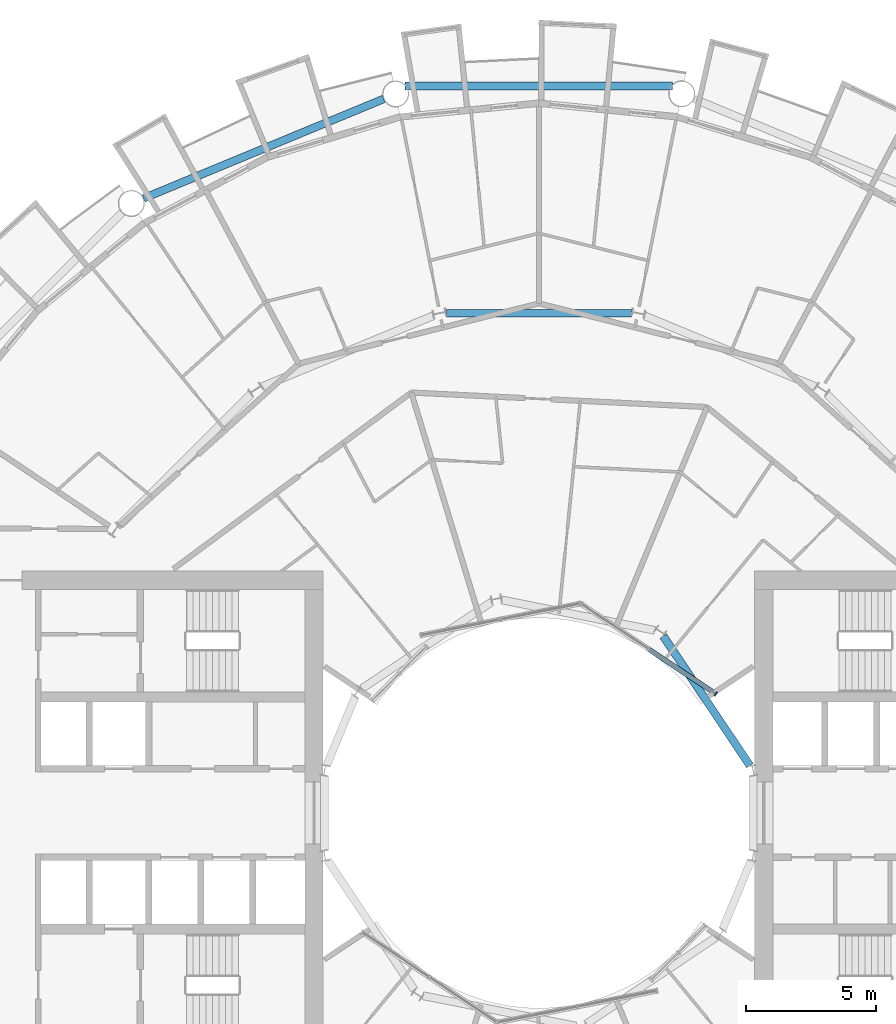
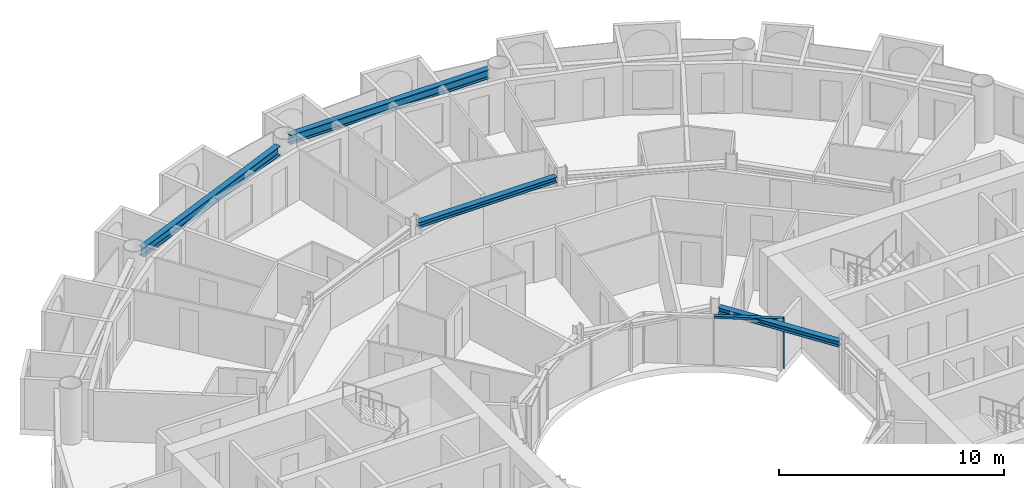
# One storey, part 8 of 26: 4 beams, 2 members, 1 element without a shape of its own.
"""IFC4 building model written with IfcOpenShell, lengths in metres."""

from ifc_helpers import new_model, si_unit, direction, frame, origin, origin_2d, place, context, subcontext, project, spatial, rectangle, i_section, extrude, material, layer, layer_set, material_profile, profile_set, type_object, element, aggregate, save


model = new_model("IFC4")

# Units and contexts
model_context = context("Model", 3, precision=1e-05, world=origin(), true_north=direction((0.0, 1.0)))
body_context = subcontext(model_context, "Body", "Model", "MODEL_VIEW")
ifc_project = project(units=[si_unit("LENGTHUNIT", "METRE"), si_unit("AREAUNIT", "SQUARE_METRE"), si_unit("VOLUMEUNIT", "CUBIC_METRE"), si_unit("PLANEANGLEUNIT", "RADIAN"), si_unit("MASSUNIT", "GRAM", prefix="KILO")], contexts=[model_context])

# Site, building, storey
site_placement = place(None, origin())
site = spatial("IfcSite", under=ifc_project, at=site_placement, CompositionType="ELEMENT")
building_placement = place(site_placement, origin())
building = spatial("IfcBuilding", under=site, at=building_placement, Name="Maasbend Ring Residences", CompositionType="ELEMENT")
storey_placement = place(building_placement, frame((0.0, 0.0, 81.89990234375)))
storey = spatial("IfcBuildingStorey", under=building, at=storey_placement, Name="L23", CompositionType="ELEMENT", Elevation=81.89990234375)

# Curtain wall, members
ifc_material_1 = material(Name="Aluminium and clear glass", Category="aluminium")
ifc_layer = layer(ifc_material_1, 0.179931640625)
ifc_layer_set = layer_set([ifc_layer], Name="CW-W")
curtain_wall_type = type_object("IfcCurtainWallType", Name="CW-W", PredefinedType="NOTDEFINED", material=ifc_layer_set)
curtain_wall_placement = place(storey_placement, origin())
curtain_wall = element("IfcCurtainWall", 1, at=curtain_wall_placement, inside=storey, type_object=curtain_wall_type, Name="Well curtain wall N1", PredefinedType="NOTDEFINED")
ifc_material_2 = material(Name="Aluminium 6063-T6", Category="aluminium")
ifc_material_profile_1 = material_profile(ifc_material_2, rectangle(XDim=0.179931640625, YDim=0.06005859375, at=origin_2d()), Name="AL 180x60")
ifc_profile_set_1 = profile_set([ifc_material_profile_1], Name="Aluminium 6063-T6")
member_type_1 = type_object("IfcMemberType", Name="CWM-W", PredefinedType="MULLION", material=ifc_profile_set_1)
member_1_placement = place(storey_placement, frame((6.805908203125, 4.580810546875, 0.0), z_axis=(0.0, 0.0, 1.0), x_axis=(-0.55557023302, -0.831469612303, 0.0)))
member_1 = element("IfcMember", 2, at=member_1_placement, type_object=member_type_1, Name="Mullion well face", PredefinedType="MULLION", context=body_context, shape_type="SweptSolid", body=[
    extrude(rectangle(XDim=0.179931640625, YDim=0.06005859375, at=origin_2d()), origin(), (0.0, 0.0, 1.0), 2.7001953125),
])
ifc_material_3 = material(Name="Aluminium 6063-T6", Category="aluminium")
ifc_material_profile_2 = material_profile(ifc_material_3, rectangle(XDim=0.179931640625, YDim=0.1201171875, at=origin_2d()), Name="AL 180x120")
ifc_profile_set_2 = profile_set([ifc_material_profile_2], Name="Aluminium 6063-T6")
member_type_2 = type_object("IfcMemberType", Name="CWT-W", PredefinedType="USERDEFINED", material=ifc_profile_set_2)
member_2_placement = place(storey_placement, frame((6.781005859375, 4.59765625, 2.64013671875), z_axis=(-0.831496422459, 0.555530106689, 0.0), x_axis=(-0.555530106689, -0.831496422459, 0.0)))
member_2 = element("IfcMember", 3, at=member_2_placement, type_object=member_type_2, Name="Transom well face", ObjectType="TRANSOM", PredefinedType="USERDEFINED", context=body_context, shape_type="SweptSolid", body=[
    extrude(rectangle(XDim=0.179931640625, YDim=0.1201171875, at=origin_2d()), origin(), (0.0, 0.0, 1.0), 3.053955078125),
])
aggregate(curtain_wall, [member_1, member_2])

# Beams
ifc_material_4 = material(Name="Steel S355J2", Category="steel")
ifc_material_profile_3 = material_profile(ifc_material_4, i_section(OverallWidth=0.300048828125, OverallDepth=0.300048828125, WebThickness=0.010986328125, FlangeThickness=0.01904296875, FilletRadius=0.027099609375, at=origin_2d()), Name="HEB 300")
ifc_profile_set_3 = profile_set([ifc_material_profile_3], Name="Steel S355J2")
beam_type_1 = type_object("IfcBeamType", Name="Corridor ring beam HEB 300", PredefinedType="BEAM", material=ifc_profile_set_3)
beam_1_placement = place(storey_placement, frame((3.556640625, 19.223388671875, 2.550048828125), z_axis=(-1.0, 0.0, 0.0), x_axis=(0.0, -1.0, 0.0)))
element("IfcBeam", 4, at=beam_1_placement, inside=storey, type_object=beam_type_1, Name="Corridor ring beam", PredefinedType="BEAM", context=body_context, shape_type="SweptSolid", body=[
    extrude(i_section(OverallWidth=0.300048828125, OverallDepth=0.300048828125, WebThickness=0.010986328125, FlangeThickness=0.01904296875, FilletRadius=0.027099609375, at=origin_2d()), origin(), (0.0, 0.0, 1.0), 7.11328125),
])
ifc_material_5 = material(Name="Steel S355J2", Category="steel")
ifc_material_profile_4 = material_profile(ifc_material_5, i_section(OverallWidth=0.300048828125, OverallDepth=0.5, WebThickness=0.014404296875, FlangeThickness=0.028076171875, FilletRadius=0.027099609375, at=origin_2d()), Name="HEB 500")
ifc_profile_set_4 = profile_set([ifc_material_profile_4], Name="Steel S355J2")
beam_type_2 = type_object("IfcBeamType", Name="Spandrel ring beam HEB 500", PredefinedType="SPANDREL", material=ifc_profile_set_4)
beam_2_placement = place(storey_placement, frame((5.1435546875, 27.9580078125, 2.4501953125), z_axis=(-1.0, 0.0, 0.0), x_axis=(0.0, -1.0, 0.0)))
element("IfcBeam", 5, at=beam_2_placement, inside=storey, type_object=beam_type_2, Name="Spandrel ring beam", PredefinedType="SPANDREL", context=body_context, shape_type="SweptSolid", body=[
    extrude(i_section(OverallWidth=0.300048828125, OverallDepth=0.5, WebThickness=0.014404296875, FlangeThickness=0.028076171875, FilletRadius=0.027099609375, at=origin_2d()), origin(), (0.0, 0.0, 1.0), 10.287109375),
])
beam_3_placement = place(storey_placement, frame((-5.970703125, 27.463623046875, 2.4501953125), z_axis=(-0.923886337442, -0.382667003395, 0.0), x_axis=(0.382667003395, -0.923886337442, 0.0)))
element("IfcBeam", 6, at=beam_3_placement, inside=storey, type_object=beam_type_2, Name="Spandrel ring beam", PredefinedType="SPANDREL", context=body_context, shape_type="SweptSolid", body=[
    extrude(i_section(OverallWidth=0.300048828125, OverallDepth=0.5, WebThickness=0.014404296875, FlangeThickness=0.028076171875, FilletRadius=0.027099609375, at=origin_2d()), origin(), (0.0, 0.0, 1.0), 9.9873046875),
])
ifc_material_6 = material(Name="Steel S355J2", Category="steel")
ifc_material_profile_5 = material_profile(ifc_material_6, i_section(OverallWidth=0.300048828125, OverallDepth=0.300048828125, WebThickness=0.010986328125, FlangeThickness=0.01904296875, FilletRadius=0.027099609375, at=origin_2d()), Name="HEB 300")
ifc_profile_set_5 = profile_set([ifc_material_profile_5], Name="Steel S355J2")
beam_type_3 = type_object("IfcBeamType", Name="Well edge beam HEB 300", PredefinedType="BEAM", material=ifc_profile_set_5)
beam_4_placement = place(storey_placement, frame((8.118408203125, 1.81884765625, 2.550048828125), z_axis=(-0.555592533493, 0.83145471117, 0.0), x_axis=(-0.83145471117, -0.555592533493, 0.0)))
element("IfcBeam", 7, at=beam_4_placement, inside=storey, type_object=beam_type_3, Name="Well edge beam", PredefinedType="BEAM", context=body_context, shape_type="SweptSolid", body=[
    extrude(i_section(OverallWidth=0.300048828125, OverallDepth=0.300048828125, WebThickness=0.010986328125, FlangeThickness=0.01904296875, FilletRadius=0.027099609375, at=origin_2d()), origin(), (0.0, 0.0, 1.0), 5.995849609375),
])

save(model, "model.ifc")
